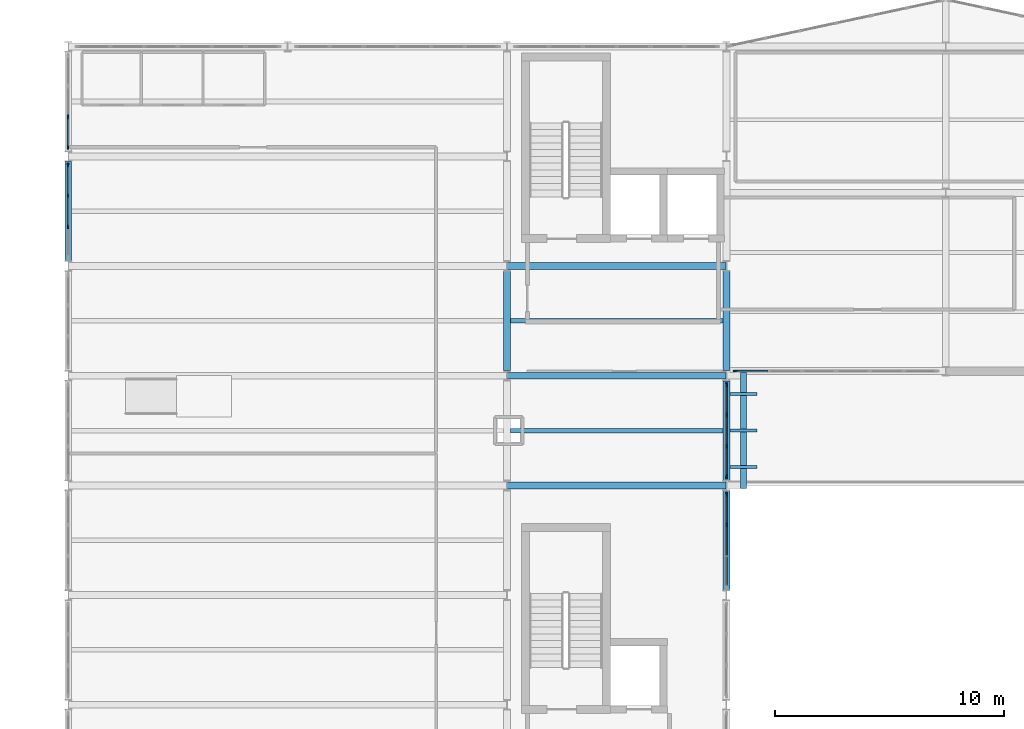
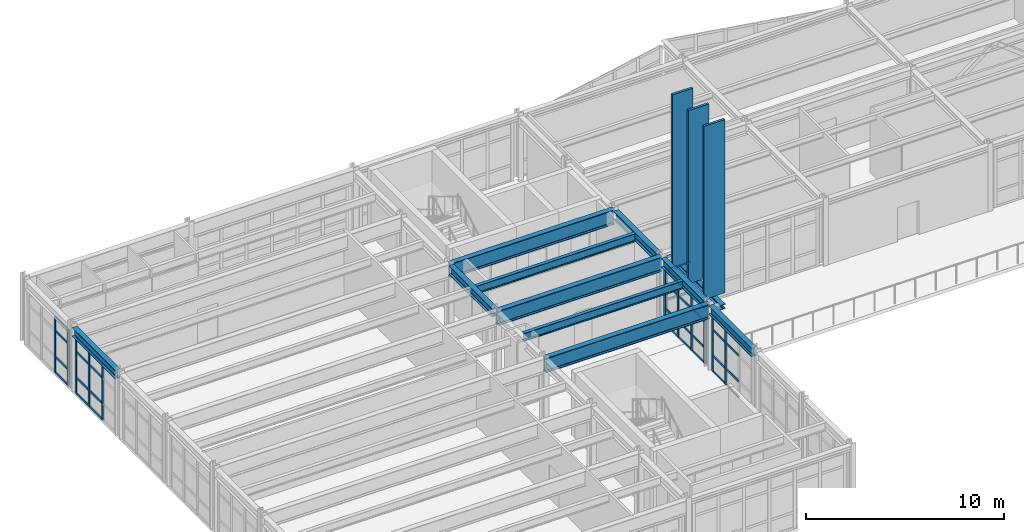
# One storey, part 19 of 47: 52 members, 11 beams, 5 elements without a shape of their own.
"""IFC4 building model written with IfcOpenShell, lengths in metres."""

from ifc_helpers import new_model, si_unit, direction, frame, origin, origin_2d, place, context, subcontext, project, spatial, rectangle, i_section, extrude, material, layer, layer_set, material_profile, profile_set, type_object, element, aggregate, save


model = new_model("IFC4")

# Units and contexts
model_context = context("Model", 3, precision=1e-05, world=origin(), true_north=direction((0.0, 1.0)))
body_context = subcontext(model_context, "Body", "Model", "MODEL_VIEW")
ifc_project = project(units=[si_unit("LENGTHUNIT", "METRE"), si_unit("AREAUNIT", "SQUARE_METRE"), si_unit("VOLUMEUNIT", "CUBIC_METRE"), si_unit("PLANEANGLEUNIT", "RADIAN"), si_unit("MASSUNIT", "GRAM", prefix="KILO")], contexts=[model_context])

# Site, building, storey
site_placement = place(None, origin())
site = spatial("IfcSite", under=ifc_project, at=site_placement, CompositionType="ELEMENT")
building_placement = place(site_placement, origin())
building = spatial("IfcBuilding", under=site, at=building_placement, Name="Nordkorset Police Headquarters", CompositionType="ELEMENT")
storey_placement = place(building_placement, frame((0.0, 0.0, 22.050048828125)))
storey = spatial("IfcBuildingStorey", under=building, at=storey_placement, Name="L05", CompositionType="ELEMENT", Elevation=22.050048828125)

# Beams
ifc_material_1 = material(Name="Steel S355J2", Category="steel")
ifc_material_profile_1 = material_profile(ifc_material_1, i_section(OverallWidth=0.199951171875, OverallDepth=0.5, WebThickness=0.01025390625, FlangeThickness=0.01611328125, FilletRadius=0.02099609375, at=origin_2d()), Name="IPE 500")
ifc_profile_set_1 = profile_set([ifc_material_profile_1], Name="Steel S355J2")
beam_type_1 = type_object("IfcBeamType", Name="Beam_IPE_500", PredefinedType="BEAM", material=ifc_profile_set_1)
for number, where, z_axis, x_axis, name in (
    (1, (19.35009765625, 100.0, 3.75), (1.0, 0.0, 0.0), (0.0, 1.0, 0.0), "Composite Floor Beam V1 L05 1-3-1"),
    (2, (19.35009765625, 104.800048828125, 3.75), (1.0, 0.0, 0.0), (0.0, 1.0, 0.0), "Composite Floor Beam V1 L05 1-4-1"),
):
    element("IfcBeam", number, at=place(storey_placement, frame(where, z_axis=z_axis, x_axis=x_axis)), inside=storey, type_object=beam_type_1, Name=name, PredefinedType="BEAM", context=body_context, shape_type="SweptSolid", body=[
        extrude(i_section(OverallWidth=0.199951171875, OverallDepth=0.5, WebThickness=0.01025390625, FlangeThickness=0.01611328125, FilletRadius=0.02099609375, at=origin_2d()), origin(), (0.0, 0.0, 1.0), 9.2998046875),
    ])

# Curtain wall, members
ifc_material_2 = material(Name="Aluminium alloy AW-6060", Category="aluminium")
ifc_layer_1 = layer(ifc_material_2, 0.179931640625, Name="Aluminium alloy AW-6060")
ifc_layer_set_1 = layer_set([ifc_layer_1], Name="Aluminium alloy AW-6060")
curtain_wall_type_1 = type_object("IfcCurtainWallType", Name="CW_Unit_408x344", PredefinedType="USERDEFINED", material=ifc_layer_set_1)
curtain_wall_1_placement = place(storey_placement, origin())
curtain_wall_1 = element("IfcCurtainWall", 3, at=curtain_wall_1_placement, inside=storey, type_object=curtain_wall_type_1, Name="Unitised Curtain Wall L05 V1W-5", ObjectType="UNITISED CURTAIN WALL", PredefinedType="USERDEFINED")
ifc_material_3 = material(Name="Aluminium alloy AW-6060", Category="aluminium")
ifc_material_profile_2 = material_profile(ifc_material_3, rectangle(XDim=0.06494140625, YDim=0.179931640625, at=origin_2d()), Name="ALU MULL 65x180")
ifc_profile_set_2 = profile_set([ifc_material_profile_2], Name="Aluminium alloy AW-6060")
member_type_1 = type_object("IfcMemberType", Name="CW_Mullion_65x180", PredefinedType="MULLION", material=ifc_profile_set_2)
member_1_placement = place(storey_placement, frame((0.0, 108.919921875, 0.0), z_axis=(0.0, 0.0, 1.0), x_axis=(-1.0, 0.0, 0.0)))
member_1 = element("IfcMember", 4, at=member_1_placement, type_object=member_type_1, Name="CW-29 mullion 2", PredefinedType="MULLION", context=body_context, shape_type="SweptSolid", body=[
    extrude(rectangle(XDim=0.06494140625, YDim=0.179931640625, at=origin_2d()), origin(), (0.0, 0.0, 1.0), 3.43994140625),
])
member_2_placement = place(storey_placement, frame((0.0, 110.280029296875, 0.0), z_axis=(0.0, 0.0, 1.0), x_axis=(-1.0, 0.0, 0.0)))
member_2 = element("IfcMember", 5, at=member_2_placement, type_object=member_type_1, Name="CW-29 mullion 3", PredefinedType="MULLION", context=body_context, shape_type="SweptSolid", body=[
    extrude(rectangle(XDim=0.06494140625, YDim=0.179931640625, at=origin_2d()), origin(), (0.0, 0.0, 1.0), 3.43994140625),
])
member_3_placement = place(storey_placement, frame((0.0, 111.607421875, 0.0), z_axis=(0.0, 0.0, 1.0), x_axis=(-1.0, 0.0, 0.0)))
member_3 = element("IfcMember", 6, at=member_3_placement, type_object=member_type_1, Name="CW-29 mullion 4", PredefinedType="MULLION", context=body_context, shape_type="SweptSolid", body=[
    extrude(rectangle(XDim=0.06494140625, YDim=0.179931640625, at=origin_2d()), origin(), (0.0, 0.0, 1.0), 3.43994140625),
])

curtain_wall_2_placement = place(storey_placement, origin())
curtain_wall_2 = element("IfcCurtainWall", 7, at=curtain_wall_2_placement, inside=storey, type_object=curtain_wall_type_1, Name="Unitised Curtain Wall L05 V1W-6", ObjectType="UNITISED CURTAIN WALL", PredefinedType="USERDEFINED")
member_4_placement = place(storey_placement, frame((0.0, 112.392578125, 0.0), z_axis=(0.0, 0.0, 1.0), x_axis=(-1.0, 0.0, 0.0)))
member_4 = element("IfcMember", 8, at=member_4_placement, type_object=member_type_1, Name="CW-29 mullion 1", PredefinedType="MULLION", context=body_context, shape_type="SweptSolid", body=[
    extrude(rectangle(XDim=0.06494140625, YDim=0.179931640625, at=origin_2d()), origin(), (0.0, 0.0, 1.0), 3.43994140625),
])
member_5_placement = place(storey_placement, frame((0.0, 113.719970703125, 0.0), z_axis=(0.0, 0.0, 1.0), x_axis=(-1.0, 0.0, 0.0)))
member_5 = element("IfcMember", 9, at=member_5_placement, type_object=member_type_1, Name="CW-29 mullion 2", PredefinedType="MULLION", context=body_context, shape_type="SweptSolid", body=[
    extrude(rectangle(XDim=0.06494140625, YDim=0.179931640625, at=origin_2d()), origin(), (0.0, 0.0, 1.0), 3.43994140625),
])

curtain_wall_3_placement = place(storey_placement, origin())
curtain_wall_3 = element("IfcCurtainWall", 10, at=curtain_wall_3_placement, inside=storey, type_object=curtain_wall_type_1, Name="Unitised Curtain Wall L05 V1E-2", ObjectType="UNITISED CURTAIN WALL", PredefinedType="USERDEFINED")
member_6_placement = place(storey_placement, frame((28.800048828125, 95.8798828125, 0.0), z_axis=(0.0, 0.0, 1.0), x_axis=(-1.0, 0.0, 0.0)))
member_6 = element("IfcMember", 11, at=member_6_placement, type_object=member_type_1, Name="CW-29 mullion 3", PredefinedType="MULLION", context=body_context, shape_type="SweptSolid", body=[
    extrude(rectangle(XDim=0.06494140625, YDim=0.179931640625, at=origin_2d()), origin(), (0.0, 0.0, 1.0), 3.43994140625),
])
member_7_placement = place(storey_placement, frame((28.800048828125, 97.20751953125, 0.0), z_axis=(0.0, 0.0, 1.0), x_axis=(-1.0, 0.0, 0.0)))
member_7 = element("IfcMember", 12, at=member_7_placement, type_object=member_type_1, Name="CW-29 mullion 4", PredefinedType="MULLION", context=body_context, shape_type="SweptSolid", body=[
    extrude(rectangle(XDim=0.06494140625, YDim=0.179931640625, at=origin_2d()), origin(), (0.0, 0.0, 1.0), 3.43994140625),
])

curtain_wall_4_placement = place(storey_placement, origin())
curtain_wall_4 = element("IfcCurtainWall", 13, at=curtain_wall_4_placement, inside=storey, type_object=curtain_wall_type_1, Name="Unitised Curtain Wall L05 V1E-3", ObjectType="UNITISED CURTAIN WALL", PredefinedType="USERDEFINED")
member_8_placement = place(storey_placement, frame((28.800048828125, 97.992431640625, 0.0), z_axis=(0.0, 0.0, 1.0), x_axis=(-1.0, 0.0, 0.0)))
member_8 = element("IfcMember", 14, at=member_8_placement, type_object=member_type_1, Name="CW-29 mullion 1", PredefinedType="MULLION", context=body_context, shape_type="SweptSolid", body=[
    extrude(rectangle(XDim=0.06494140625, YDim=0.179931640625, at=origin_2d()), origin(), (0.0, 0.0, 1.0), 3.43994140625),
])
member_9_placement = place(storey_placement, frame((28.800048828125, 99.320068359375, 0.0), z_axis=(0.0, 0.0, 1.0), x_axis=(-1.0, 0.0, 0.0)))
member_9 = element("IfcMember", 15, at=member_9_placement, type_object=member_type_1, Name="CW-29 mullion 2", PredefinedType="MULLION", context=body_context, shape_type="SweptSolid", body=[
    extrude(rectangle(XDim=0.06494140625, YDim=0.179931640625, at=origin_2d()), origin(), (0.0, 0.0, 1.0), 3.43994140625),
])
member_10_placement = place(storey_placement, frame((28.800048828125, 100.679931640625, 0.0), z_axis=(0.0, 0.0, 1.0), x_axis=(-1.0, 0.0, 0.0)))
member_10 = element("IfcMember", 16, at=member_10_placement, type_object=member_type_1, Name="CW-29 mullion 3", PredefinedType="MULLION", context=body_context, shape_type="SweptSolid", body=[
    extrude(rectangle(XDim=0.06494140625, YDim=0.179931640625, at=origin_2d()), origin(), (0.0, 0.0, 1.0), 3.43994140625),
])
member_11_placement = place(storey_placement, frame((28.800048828125, 102.007568359375, 0.0), z_axis=(0.0, 0.0, 1.0), x_axis=(-1.0, 0.0, 0.0)))
member_11 = element("IfcMember", 17, at=member_11_placement, type_object=member_type_1, Name="CW-29 mullion 4", PredefinedType="MULLION", context=body_context, shape_type="SweptSolid", body=[
    extrude(rectangle(XDim=0.06494140625, YDim=0.179931640625, at=origin_2d()), origin(), (0.0, 0.0, 1.0), 3.43994140625),
])

# Curtain wall, member
ifc_material_4 = material(Name="Aluminium alloy AW-6060", Category="aluminium")
ifc_layer_2 = layer(ifc_material_4, 0.179931640625, Name="Aluminium alloy AW-6060")
ifc_layer_set_2 = layer_set([ifc_layer_2], Name="Aluminium alloy AW-6060")
curtain_wall_type_2 = type_object("IfcCurtainWallType", Name="CW_Unit_888x367", PredefinedType="USERDEFINED", material=ifc_layer_set_2)
curtain_wall_5_placement = place(storey_placement, origin())
curtain_wall_5 = element("IfcCurtainWall", 18, at=curtain_wall_5_placement, inside=storey, type_object=curtain_wall_type_2, Name="Unitised Curtain Wall L05 V2S-0", ObjectType="UNITISED CURTAIN WALL", PredefinedType="USERDEFINED")
member_12_placement = place(storey_placement, frame((29.1923828125, 102.60009765625, 0.0), z_axis=(0.0, 0.0, 1.0), x_axis=(0.0, 1.0, 0.0)))
member_12 = element("IfcMember", 19, at=member_12_placement, type_object=member_type_1, Name="CW-91 mullion 1", PredefinedType="MULLION", context=body_context, shape_type="SweptSolid", body=[
    extrude(rectangle(XDim=0.06494140625, YDim=0.179931640625, at=origin_2d()), origin(), (0.0, 0.0, 1.0), 3.669921875),
])

# Member
ifc_material_5 = material(Name="Aluminium alloy AW-6060", Category="aluminium")
ifc_material_profile_3 = material_profile(ifc_material_5, rectangle(XDim=0.06494140625, YDim=0.139892578125, at=origin_2d()), Name="ALU TRAN 65x140")
ifc_profile_set_3 = profile_set([ifc_material_profile_3], Name="Aluminium alloy AW-6060")
member_type_2 = type_object("IfcMemberType", Name="CW_Transom_65x140", PredefinedType="USERDEFINED", material=ifc_profile_set_3)
member_13_placement = place(storey_placement, frame((0.0, 108.952392578125, 0.032470703125), z_axis=(0.0, 1.0, 0.0), x_axis=(-1.0, 0.0, 0.0)))
member_13 = element("IfcMember", 20, at=member_13_placement, type_object=member_type_2, Name="CW-29 transom 2.1", ObjectType="TRANSOM", PredefinedType="USERDEFINED", context=body_context, shape_type="SweptSolid", body=[
    extrude(rectangle(XDim=0.06494140625, YDim=0.139892578125, at=origin_2d()), origin(), (0.0, 0.0, 1.0), 1.295166015625),
])

member_14_placement = place(storey_placement, frame((0.0, 108.952392578125, 1.0), z_axis=(0.0, 1.0, 0.0), x_axis=(-1.0, 0.0, 0.0)))
member_14 = element("IfcMember", 21, at=member_14_placement, type_object=member_type_2, Name="CW-29 transom 2.2", ObjectType="TRANSOM", PredefinedType="USERDEFINED", context=body_context, shape_type="SweptSolid", body=[
    extrude(rectangle(XDim=0.06494140625, YDim=0.139892578125, at=origin_2d()), origin(), (0.0, 0.0, 1.0), 1.295166015625),
])

member_15_placement = place(storey_placement, frame((0.0, 108.952392578125, 2.58984375), z_axis=(0.0, 1.0, 0.0), x_axis=(-1.0, 0.0, 0.0)))
member_15 = element("IfcMember", 22, at=member_15_placement, type_object=member_type_2, Name="CW-29 transom 2.3", ObjectType="TRANSOM", PredefinedType="USERDEFINED", context=body_context, shape_type="SweptSolid", body=[
    extrude(rectangle(XDim=0.06494140625, YDim=0.139892578125, at=origin_2d()), origin(), (0.0, 0.0, 1.0), 1.295166015625),
])

member_16_placement = place(storey_placement, frame((0.0, 108.952392578125, 3.407470703125), z_axis=(0.0, 1.0, 0.0), x_axis=(-1.0, 0.0, 0.0)))
member_16 = element("IfcMember", 23, at=member_16_placement, type_object=member_type_2, Name="CW-29 transom 2.4", ObjectType="TRANSOM", PredefinedType="USERDEFINED", context=body_context, shape_type="SweptSolid", body=[
    extrude(rectangle(XDim=0.06494140625, YDim=0.139892578125, at=origin_2d()), origin(), (0.0, 0.0, 1.0), 1.295166015625),
])

member_17_placement = place(storey_placement, frame((0.0, 110.3125, 0.032470703125), z_axis=(0.0, 1.0, 0.0), x_axis=(-1.0, 0.0, 0.0)))
member_17 = element("IfcMember", 24, at=member_17_placement, type_object=member_type_2, Name="CW-29 transom 3.1", ObjectType="TRANSOM", PredefinedType="USERDEFINED", context=body_context, shape_type="SweptSolid", body=[
    extrude(rectangle(XDim=0.06494140625, YDim=0.139892578125, at=origin_2d()), origin(), (0.0, 0.0, 1.0), 1.262451171875),
])

member_18_placement = place(storey_placement, frame((0.0, 110.3125, 1.0), z_axis=(0.0, 1.0, 0.0), x_axis=(-1.0, 0.0, 0.0)))
member_18 = element("IfcMember", 25, at=member_18_placement, type_object=member_type_2, Name="CW-29 transom 3.2", ObjectType="TRANSOM", PredefinedType="USERDEFINED", context=body_context, shape_type="SweptSolid", body=[
    extrude(rectangle(XDim=0.06494140625, YDim=0.139892578125, at=origin_2d()), origin(), (0.0, 0.0, 1.0), 1.262451171875),
])

member_19_placement = place(storey_placement, frame((0.0, 110.3125, 2.58984375), z_axis=(0.0, 1.0, 0.0), x_axis=(-1.0, 0.0, 0.0)))
member_19 = element("IfcMember", 26, at=member_19_placement, type_object=member_type_2, Name="CW-29 transom 3.3", ObjectType="TRANSOM", PredefinedType="USERDEFINED", context=body_context, shape_type="SweptSolid", body=[
    extrude(rectangle(XDim=0.06494140625, YDim=0.139892578125, at=origin_2d()), origin(), (0.0, 0.0, 1.0), 1.262451171875),
])

member_20_placement = place(storey_placement, frame((0.0, 110.3125, 3.407470703125), z_axis=(0.0, 1.0, 0.0), x_axis=(-1.0, 0.0, 0.0)))
member_20 = element("IfcMember", 27, at=member_20_placement, type_object=member_type_2, Name="CW-29 transom 3.4", ObjectType="TRANSOM", PredefinedType="USERDEFINED", context=body_context, shape_type="SweptSolid", body=[
    extrude(rectangle(XDim=0.06494140625, YDim=0.139892578125, at=origin_2d()), origin(), (0.0, 0.0, 1.0), 1.262451171875),
])

aggregate(curtain_wall_1, [member_1, member_2, member_3, member_13, member_14, member_15, member_16, member_17, member_18, member_19, member_20])

member_21_placement = place(storey_placement, frame((0.0, 112.425048828125, 0.032470703125), z_axis=(0.0, 1.0, 0.0), x_axis=(-1.0, 0.0, 0.0)))
member_21 = element("IfcMember", 28, at=member_21_placement, type_object=member_type_2, Name="CW-29 transom 1.1", ObjectType="TRANSOM", PredefinedType="USERDEFINED", context=body_context, shape_type="SweptSolid", body=[
    extrude(rectangle(XDim=0.06494140625, YDim=0.139892578125, at=origin_2d()), origin(), (0.0, 0.0, 1.0), 1.262451171875),
])

member_22_placement = place(storey_placement, frame((0.0, 112.425048828125, 1.0), z_axis=(0.0, 1.0, 0.0), x_axis=(-1.0, 0.0, 0.0)))
member_22 = element("IfcMember", 29, at=member_22_placement, type_object=member_type_2, Name="CW-29 transom 1.2", ObjectType="TRANSOM", PredefinedType="USERDEFINED", context=body_context, shape_type="SweptSolid", body=[
    extrude(rectangle(XDim=0.06494140625, YDim=0.139892578125, at=origin_2d()), origin(), (0.0, 0.0, 1.0), 1.262451171875),
])

member_23_placement = place(storey_placement, frame((0.0, 112.425048828125, 2.58984375), z_axis=(0.0, 1.0, 0.0), x_axis=(-1.0, 0.0, 0.0)))
member_23 = element("IfcMember", 30, at=member_23_placement, type_object=member_type_2, Name="CW-29 transom 1.3", ObjectType="TRANSOM", PredefinedType="USERDEFINED", context=body_context, shape_type="SweptSolid", body=[
    extrude(rectangle(XDim=0.06494140625, YDim=0.139892578125, at=origin_2d()), origin(), (0.0, 0.0, 1.0), 1.262451171875),
])

member_24_placement = place(storey_placement, frame((0.0, 112.425048828125, 3.407470703125), z_axis=(0.0, 1.0, 0.0), x_axis=(-1.0, 0.0, 0.0)))
member_24 = element("IfcMember", 31, at=member_24_placement, type_object=member_type_2, Name="CW-29 transom 1.4", ObjectType="TRANSOM", PredefinedType="USERDEFINED", context=body_context, shape_type="SweptSolid", body=[
    extrude(rectangle(XDim=0.06494140625, YDim=0.139892578125, at=origin_2d()), origin(), (0.0, 0.0, 1.0), 1.262451171875),
])

aggregate(curtain_wall_2, [member_4, member_5, member_21, member_22, member_23, member_24])

member_25_placement = place(storey_placement, frame((28.800048828125, 93.22509765625, 3.407470703125), z_axis=(0.0, 1.0, 0.0), x_axis=(-1.0, 0.0, 0.0)))
member_25 = element("IfcMember", 32, at=member_25_placement, type_object=member_type_2, Name="CW-29 transom 1.4", ObjectType="TRANSOM", PredefinedType="USERDEFINED", context=body_context, shape_type="SweptSolid", body=[
    extrude(rectangle(XDim=0.06494140625, YDim=0.139892578125, at=origin_2d()), origin(), (0.0, 0.0, 1.0), 1.262451171875),
])

member_26_placement = place(storey_placement, frame((28.800048828125, 94.552490234375, 0.032470703125), z_axis=(0.0, 1.0, 0.0), x_axis=(-1.0, 0.0, 0.0)))
member_26 = element("IfcMember", 33, at=member_26_placement, type_object=member_type_2, Name="CW-29 transom 2.1", ObjectType="TRANSOM", PredefinedType="USERDEFINED", context=body_context, shape_type="SweptSolid", body=[
    extrude(rectangle(XDim=0.06494140625, YDim=0.139892578125, at=origin_2d()), origin(), (0.0, 0.0, 1.0), 1.294921875),
])

member_27_placement = place(storey_placement, frame((28.800048828125, 94.552490234375, 1.0), z_axis=(0.0, 1.0, 0.0), x_axis=(-1.0, 0.0, 0.0)))
member_27 = element("IfcMember", 34, at=member_27_placement, type_object=member_type_2, Name="CW-29 transom 2.2", ObjectType="TRANSOM", PredefinedType="USERDEFINED", context=body_context, shape_type="SweptSolid", body=[
    extrude(rectangle(XDim=0.06494140625, YDim=0.139892578125, at=origin_2d()), origin(), (0.0, 0.0, 1.0), 1.294921875),
])

member_28_placement = place(storey_placement, frame((28.800048828125, 94.552490234375, 2.58984375), z_axis=(0.0, 1.0, 0.0), x_axis=(-1.0, 0.0, 0.0)))
member_28 = element("IfcMember", 35, at=member_28_placement, type_object=member_type_2, Name="CW-29 transom 2.3", ObjectType="TRANSOM", PredefinedType="USERDEFINED", context=body_context, shape_type="SweptSolid", body=[
    extrude(rectangle(XDim=0.06494140625, YDim=0.139892578125, at=origin_2d()), origin(), (0.0, 0.0, 1.0), 1.294921875),
])

member_29_placement = place(storey_placement, frame((28.800048828125, 94.552490234375, 3.407470703125), z_axis=(0.0, 1.0, 0.0), x_axis=(-1.0, 0.0, 0.0)))
member_29 = element("IfcMember", 36, at=member_29_placement, type_object=member_type_2, Name="CW-29 transom 2.4", ObjectType="TRANSOM", PredefinedType="USERDEFINED", context=body_context, shape_type="SweptSolid", body=[
    extrude(rectangle(XDim=0.06494140625, YDim=0.139892578125, at=origin_2d()), origin(), (0.0, 0.0, 1.0), 1.294921875),
])

member_30_placement = place(storey_placement, frame((28.800048828125, 95.91259765625, 0.032470703125), z_axis=(0.0, 1.0, 0.0), x_axis=(-1.0, 0.0, 0.0)))
member_30 = element("IfcMember", 37, at=member_30_placement, type_object=member_type_2, Name="CW-29 transom 3.1", ObjectType="TRANSOM", PredefinedType="USERDEFINED", context=body_context, shape_type="SweptSolid", body=[
    extrude(rectangle(XDim=0.06494140625, YDim=0.139892578125, at=origin_2d()), origin(), (0.0, 0.0, 1.0), 1.262451171875),
])

member_31_placement = place(storey_placement, frame((28.800048828125, 95.91259765625, 1.0), z_axis=(0.0, 1.0, 0.0), x_axis=(-1.0, 0.0, 0.0)))
member_31 = element("IfcMember", 38, at=member_31_placement, type_object=member_type_2, Name="CW-29 transom 3.2", ObjectType="TRANSOM", PredefinedType="USERDEFINED", context=body_context, shape_type="SweptSolid", body=[
    extrude(rectangle(XDim=0.06494140625, YDim=0.139892578125, at=origin_2d()), origin(), (0.0, 0.0, 1.0), 1.262451171875),
])

member_32_placement = place(storey_placement, frame((28.800048828125, 95.91259765625, 2.58984375), z_axis=(0.0, 1.0, 0.0), x_axis=(-1.0, 0.0, 0.0)))
member_32 = element("IfcMember", 39, at=member_32_placement, type_object=member_type_2, Name="CW-29 transom 3.3", ObjectType="TRANSOM", PredefinedType="USERDEFINED", context=body_context, shape_type="SweptSolid", body=[
    extrude(rectangle(XDim=0.06494140625, YDim=0.139892578125, at=origin_2d()), origin(), (0.0, 0.0, 1.0), 1.262451171875),
])

member_33_placement = place(storey_placement, frame((28.800048828125, 95.91259765625, 3.407470703125), z_axis=(0.0, 1.0, 0.0), x_axis=(-1.0, 0.0, 0.0)))
member_33 = element("IfcMember", 40, at=member_33_placement, type_object=member_type_2, Name="CW-29 transom 3.4", ObjectType="TRANSOM", PredefinedType="USERDEFINED", context=body_context, shape_type="SweptSolid", body=[
    extrude(rectangle(XDim=0.06494140625, YDim=0.139892578125, at=origin_2d()), origin(), (0.0, 0.0, 1.0), 1.262451171875),
])

aggregate(curtain_wall_3, [member_6, member_7, member_25, member_26, member_27, member_28, member_29, member_30, member_31, member_32, member_33])

member_34_placement = place(storey_placement, frame((28.800048828125, 98.02490234375, 0.032470703125), z_axis=(0.0, 1.0, 0.0), x_axis=(-1.0, 0.0, 0.0)))
member_34 = element("IfcMember", 41, at=member_34_placement, type_object=member_type_2, Name="CW-29 transom 1.1", ObjectType="TRANSOM", PredefinedType="USERDEFINED", context=body_context, shape_type="SweptSolid", body=[
    extrude(rectangle(XDim=0.06494140625, YDim=0.139892578125, at=origin_2d()), origin(), (0.0, 0.0, 1.0), 1.2626953125),
])

member_35_placement = place(storey_placement, frame((28.800048828125, 98.02490234375, 1.0), z_axis=(0.0, 1.0, 0.0), x_axis=(-1.0, 0.0, 0.0)))
member_35 = element("IfcMember", 42, at=member_35_placement, type_object=member_type_2, Name="CW-29 transom 1.2", ObjectType="TRANSOM", PredefinedType="USERDEFINED", context=body_context, shape_type="SweptSolid", body=[
    extrude(rectangle(XDim=0.06494140625, YDim=0.139892578125, at=origin_2d()), origin(), (0.0, 0.0, 1.0), 1.2626953125),
])

member_36_placement = place(storey_placement, frame((28.800048828125, 98.02490234375, 2.58984375), z_axis=(0.0, 1.0, 0.0), x_axis=(-1.0, 0.0, 0.0)))
member_36 = element("IfcMember", 43, at=member_36_placement, type_object=member_type_2, Name="CW-29 transom 1.3", ObjectType="TRANSOM", PredefinedType="USERDEFINED", context=body_context, shape_type="SweptSolid", body=[
    extrude(rectangle(XDim=0.06494140625, YDim=0.139892578125, at=origin_2d()), origin(), (0.0, 0.0, 1.0), 1.2626953125),
])

member_37_placement = place(storey_placement, frame((28.800048828125, 98.02490234375, 3.407470703125), z_axis=(0.0, 1.0, 0.0), x_axis=(-1.0, 0.0, 0.0)))
member_37 = element("IfcMember", 44, at=member_37_placement, type_object=member_type_2, Name="CW-29 transom 1.4", ObjectType="TRANSOM", PredefinedType="USERDEFINED", context=body_context, shape_type="SweptSolid", body=[
    extrude(rectangle(XDim=0.06494140625, YDim=0.139892578125, at=origin_2d()), origin(), (0.0, 0.0, 1.0), 1.2626953125),
])

member_38_placement = place(storey_placement, frame((28.800048828125, 99.3525390625, 0.032470703125), z_axis=(0.0, 1.0, 0.0), x_axis=(-1.0, 0.0, 0.0)))
member_38 = element("IfcMember", 45, at=member_38_placement, type_object=member_type_2, Name="CW-29 transom 2.1", ObjectType="TRANSOM", PredefinedType="USERDEFINED", context=body_context, shape_type="SweptSolid", body=[
    extrude(rectangle(XDim=0.06494140625, YDim=0.139892578125, at=origin_2d()), origin(), (0.0, 0.0, 1.0), 1.294921875),
])

member_39_placement = place(storey_placement, frame((28.800048828125, 99.3525390625, 1.0), z_axis=(0.0, 1.0, 0.0), x_axis=(-1.0, 0.0, 0.0)))
member_39 = element("IfcMember", 46, at=member_39_placement, type_object=member_type_2, Name="CW-29 transom 2.2", ObjectType="TRANSOM", PredefinedType="USERDEFINED", context=body_context, shape_type="SweptSolid", body=[
    extrude(rectangle(XDim=0.06494140625, YDim=0.139892578125, at=origin_2d()), origin(), (0.0, 0.0, 1.0), 1.294921875),
])

member_40_placement = place(storey_placement, frame((28.800048828125, 99.3525390625, 2.58984375), z_axis=(0.0, 1.0, 0.0), x_axis=(-1.0, 0.0, 0.0)))
member_40 = element("IfcMember", 47, at=member_40_placement, type_object=member_type_2, Name="CW-29 transom 2.3", ObjectType="TRANSOM", PredefinedType="USERDEFINED", context=body_context, shape_type="SweptSolid", body=[
    extrude(rectangle(XDim=0.06494140625, YDim=0.139892578125, at=origin_2d()), origin(), (0.0, 0.0, 1.0), 1.294921875),
])

member_41_placement = place(storey_placement, frame((28.800048828125, 99.3525390625, 3.407470703125), z_axis=(0.0, 1.0, 0.0), x_axis=(-1.0, 0.0, 0.0)))
member_41 = element("IfcMember", 48, at=member_41_placement, type_object=member_type_2, Name="CW-29 transom 2.4", ObjectType="TRANSOM", PredefinedType="USERDEFINED", context=body_context, shape_type="SweptSolid", body=[
    extrude(rectangle(XDim=0.06494140625, YDim=0.139892578125, at=origin_2d()), origin(), (0.0, 0.0, 1.0), 1.294921875),
])

member_42_placement = place(storey_placement, frame((28.800048828125, 100.71240234375, 0.032470703125), z_axis=(0.0, 1.0, 0.0), x_axis=(-1.0, 0.0, 0.0)))
member_42 = element("IfcMember", 49, at=member_42_placement, type_object=member_type_2, Name="CW-29 transom 3.1", ObjectType="TRANSOM", PredefinedType="USERDEFINED", context=body_context, shape_type="SweptSolid", body=[
    extrude(rectangle(XDim=0.06494140625, YDim=0.139892578125, at=origin_2d()), origin(), (0.0, 0.0, 1.0), 1.2626953125),
])

member_43_placement = place(storey_placement, frame((28.800048828125, 100.71240234375, 1.0), z_axis=(0.0, 1.0, 0.0), x_axis=(-1.0, 0.0, 0.0)))
member_43 = element("IfcMember", 50, at=member_43_placement, type_object=member_type_2, Name="CW-29 transom 3.2", ObjectType="TRANSOM", PredefinedType="USERDEFINED", context=body_context, shape_type="SweptSolid", body=[
    extrude(rectangle(XDim=0.06494140625, YDim=0.139892578125, at=origin_2d()), origin(), (0.0, 0.0, 1.0), 1.2626953125),
])

member_44_placement = place(storey_placement, frame((28.800048828125, 100.71240234375, 2.58984375), z_axis=(0.0, 1.0, 0.0), x_axis=(-1.0, 0.0, 0.0)))
member_44 = element("IfcMember", 51, at=member_44_placement, type_object=member_type_2, Name="CW-29 transom 3.3", ObjectType="TRANSOM", PredefinedType="USERDEFINED", context=body_context, shape_type="SweptSolid", body=[
    extrude(rectangle(XDim=0.06494140625, YDim=0.139892578125, at=origin_2d()), origin(), (0.0, 0.0, 1.0), 1.2626953125),
])

member_45_placement = place(storey_placement, frame((28.800048828125, 100.71240234375, 3.407470703125), z_axis=(0.0, 1.0, 0.0), x_axis=(-1.0, 0.0, 0.0)))
member_45 = element("IfcMember", 52, at=member_45_placement, type_object=member_type_2, Name="CW-29 transom 3.4", ObjectType="TRANSOM", PredefinedType="USERDEFINED", context=body_context, shape_type="SweptSolid", body=[
    extrude(rectangle(XDim=0.06494140625, YDim=0.139892578125, at=origin_2d()), origin(), (0.0, 0.0, 1.0), 1.2626953125),
])

aggregate(curtain_wall_4, [member_8, member_9, member_10, member_11, member_34, member_35, member_36, member_37, member_38, member_39, member_40, member_41, member_42, member_43, member_44, member_45])

member_46_placement = place(storey_placement, frame((29.22509765625, 102.60009765625, 0.032470703125), z_axis=(1.0, 0.0, 0.0), x_axis=(0.0, 1.0, 0.0)))
member_46 = element("IfcMember", 53, at=member_46_placement, type_object=member_type_2, Name="CW-91 transom 1.1", ObjectType="TRANSOM", PredefinedType="USERDEFINED", context=body_context, shape_type="SweptSolid", body=[
    extrude(rectangle(XDim=0.06494140625, YDim=0.139892578125, at=origin_2d()), origin(), (0.0, 0.0, 1.0), 1.38232421875),
])

member_47_placement = place(storey_placement, frame((29.22509765625, 102.60009765625, 1.0), z_axis=(1.0, 0.0, 0.0), x_axis=(0.0, 1.0, 0.0)))
member_47 = element("IfcMember", 54, at=member_47_placement, type_object=member_type_2, Name="CW-91 transom 1.2", ObjectType="TRANSOM", PredefinedType="USERDEFINED", context=body_context, shape_type="SweptSolid", body=[
    extrude(rectangle(XDim=0.06494140625, YDim=0.139892578125, at=origin_2d()), origin(), (0.0, 0.0, 1.0), 1.38232421875),
])

member_48_placement = place(storey_placement, frame((29.22509765625, 102.60009765625, 2.820068359375), z_axis=(1.0, 0.0, 0.0), x_axis=(0.0, 1.0, 0.0)))
member_48 = element("IfcMember", 55, at=member_48_placement, type_object=member_type_2, Name="CW-91 transom 1.3", ObjectType="TRANSOM", PredefinedType="USERDEFINED", context=body_context, shape_type="SweptSolid", body=[
    extrude(rectangle(XDim=0.06494140625, YDim=0.139892578125, at=origin_2d()), origin(), (0.0, 0.0, 1.0), 1.38232421875),
])

member_49_placement = place(storey_placement, frame((29.22509765625, 102.60009765625, 3.637451171875), z_axis=(1.0, 0.0, 0.0), x_axis=(0.0, 1.0, 0.0)))
member_49 = element("IfcMember", 56, at=member_49_placement, type_object=member_type_2, Name="CW-91 transom 1.4", ObjectType="TRANSOM", PredefinedType="USERDEFINED", context=body_context, shape_type="SweptSolid", body=[
    extrude(rectangle(XDim=0.06494140625, YDim=0.139892578125, at=origin_2d()), origin(), (0.0, 0.0, 1.0), 1.38232421875),
])

aggregate(curtain_wall_5, [member_12, member_46, member_47, member_48, member_49])

# Beams
ifc_material_6 = material(Name="Steel S355J2", Category="steel")
ifc_material_profile_4 = material_profile(ifc_material_6, i_section(OverallWidth=0.300048828125, OverallDepth=0.5400390625, WebThickness=0.012451171875, FlangeThickness=0.02392578125, FilletRadius=0.027099609375, at=origin_2d()), Name="HEA 550")
ifc_profile_set_4 = profile_set([ifc_material_profile_4], Name="Steel S355J2")
beam_type_2 = type_object("IfcBeamType", Name="Girder_HEA_550", PredefinedType="USERDEFINED", material=ifc_profile_set_4)
beam_1_placement = place(storey_placement, frame((0.0, 107.425048828125, 3.72998046875), z_axis=(0.0, 1.0, 0.0), x_axis=(-1.0, 0.0, 0.0)))
element("IfcBeam", 57, at=beam_1_placement, inside=storey, type_object=beam_type_2, Name="Girder V1 L05 GY-0-5", ObjectType="GIRDER", PredefinedType="USERDEFINED", context=body_context, shape_type="SweptSolid", body=[
    extrude(i_section(OverallWidth=0.300048828125, OverallDepth=0.5400390625, WebThickness=0.012451171875, FlangeThickness=0.02392578125, FilletRadius=0.027099609375, at=origin_2d()), origin(), (0.0, 0.0, 1.0), 4.349853515625),
])
for number, where, z_axis, x_axis, name in (
    (58, (19.199951171875, 102.625, 3.72998046875), (0.0, 1.0, 0.0), (-1.0, 0.0, 0.0), "Girder V1 L05 GY-1-4"),
    (59, (28.800048828125, 93.02490234375, 3.72998046875), (0.0, 1.0, 0.0), (-1.0, 0.0, 0.0), "Girder V1 L05 GY-2-2"),
    (60, (28.800048828125, 97.824951171875, 3.72998046875), (0.0, 1.0, 0.0), (-1.0, 0.0, 0.0), "Girder V1 L05 GY-2-3"),
    (61, (28.800048828125, 102.625, 3.72998046875), (0.0, 1.0, 0.0), (-1.0, 0.0, 0.0), "Girder V1 L05 GY-2-4"),
):
    element("IfcBeam", number, at=place(storey_placement, frame(where, z_axis=z_axis, x_axis=x_axis)), inside=storey, type_object=beam_type_2, Name=name, ObjectType="GIRDER", PredefinedType="USERDEFINED", context=body_context, shape_type="SweptSolid", body=[
        extrude(i_section(OverallWidth=0.300048828125, OverallDepth=0.5400390625, WebThickness=0.012451171875, FlangeThickness=0.02392578125, FilletRadius=0.027099609375, at=origin_2d()), origin(), (0.0, 0.0, 1.0), 4.35009765625),
    ])
ifc_material_7 = material(Name="Steel S355J2", Category="steel")
ifc_material_profile_5 = material_profile(ifc_material_7, i_section(OverallWidth=0.300048828125, OverallDepth=0.89990234375, WebThickness=0.0185546875, FlangeThickness=0.034912109375, FilletRadius=0.030029296875, at=origin_2d()), Name="HEB 900")
ifc_profile_set_5 = profile_set([ifc_material_profile_5], Name="Steel S355J2")
beam_type_3 = type_object("IfcBeamType", Name="Girder_HEB_900", PredefinedType="USERDEFINED", material=ifc_profile_set_5)
for number, where, z_axis, x_axis, name in (
    (62, (19.20703125, 97.60009765625, 3.550048828125), (1.0, 0.0, 0.0), (0.0, 1.0, 0.0), "Girder V1 L05 GX-3-1"),
    (63, (19.20703125, 102.39990234375, 3.550048828125), (1.0, 0.0, 0.0), (0.0, 1.0, 0.0), "Girder V1 L05 GX-4-1"),
    (64, (19.20703125, 107.199951171875, 3.550048828125), (1.0, 0.0, 0.0), (0.0, 1.0, 0.0), "Girder V1 L05 GX-5-1"),
):
    element("IfcBeam", number, at=place(storey_placement, frame(where, z_axis=z_axis, x_axis=x_axis)), inside=storey, type_object=beam_type_3, Name=name, ObjectType="GIRDER", PredefinedType="USERDEFINED", context=body_context, shape_type="SweptSolid", body=[
        extrude(i_section(OverallWidth=0.300048828125, OverallDepth=0.89990234375, WebThickness=0.0185546875, FlangeThickness=0.034912109375, FilletRadius=0.030029296875, at=origin_2d()), origin(), (0.0, 0.0, 1.0), 9.5859375),
    ])

# Members
ifc_material_8 = material(Name="Glulam GL30c", Category="wood")
ifc_material_profile_6 = material_profile(ifc_material_8, rectangle(XDim=0.139892578125, YDim=1.199951171875, at=origin_2d()), Name="GL30C FIN 140x1200")
ifc_profile_set_6 = profile_set([ifc_material_profile_6], Name="Glulam GL30c")
member_type_3 = type_object("IfcMemberType", Name="Member_GlulamFin_140x1200", PredefinedType="USERDEFINED", material=ifc_profile_set_6)
for number, where, z_axis, x_axis, name in (
    (65, (29.550048828125, 98.39990234375, 3.68505859375), (0.0, 0.0, 1.0), (0.0, 1.0, 0.0), "Vertical Glulam Timber Fin East 031"),
    (66, (29.550048828125, 100.0, 3.68505859375), (0.0, 0.0, 1.0), (0.0, 1.0, 0.0), "Vertical Glulam Timber Fin East 032"),
    (67, (29.550048828125, 101.60009765625, 3.68505859375), (0.0, 0.0, 1.0), (0.0, 1.0, 0.0), "Vertical Glulam Timber Fin East 033"),
):
    element("IfcMember", number, at=place(storey_placement, frame(where, z_axis=z_axis, x_axis=x_axis)), inside=storey, type_object=member_type_3, Name=name, ObjectType="VERTICAL TIMBER FIN", PredefinedType="USERDEFINED", context=body_context, shape_type="SweptSolid", body=[
        extrude(rectangle(XDim=0.139892578125, YDim=1.199951171875, at=origin_2d()), origin(), (0.0, 0.0, 1.0), 10.6748046875),
    ])

# Beam
ifc_material_9 = material(Name="Steel S355J2", Category="steel")
ifc_material_profile_7 = material_profile(ifc_material_9, i_section(OverallWidth=0.280029296875, OverallDepth=0.27001953125, WebThickness=0.008056640625, FlangeThickness=0.012939453125, FilletRadius=0.02392578125, at=origin_2d()), Name="HEA 280")
ifc_profile_set_7 = profile_set([ifc_material_profile_7], Name="Steel S355J2")
beam_type_4 = type_object("IfcBeamType", Name="Spandrel_HEA_280", PredefinedType="SPANDREL", material=ifc_profile_set_7)
beam_2_placement = place(storey_placement, frame((29.550048828125, 97.4599609375, 3.550048828125), z_axis=(0.0, 1.0, 0.0), x_axis=(-1.0, 0.0, 0.0)))
element("IfcBeam", 68, at=beam_2_placement, inside=storey, type_object=beam_type_4, Name="Facade Fin Support Ledger East Bay 4", PredefinedType="SPANDREL", context=body_context, shape_type="SweptSolid", body=[
    extrude(i_section(OverallWidth=0.280029296875, OverallDepth=0.27001953125, WebThickness=0.008056640625, FlangeThickness=0.012939453125, FilletRadius=0.02392578125, at=origin_2d()), origin(), (0.0, 0.0, 1.0), 5.080078125),
])

save(model, "model.ifc")
